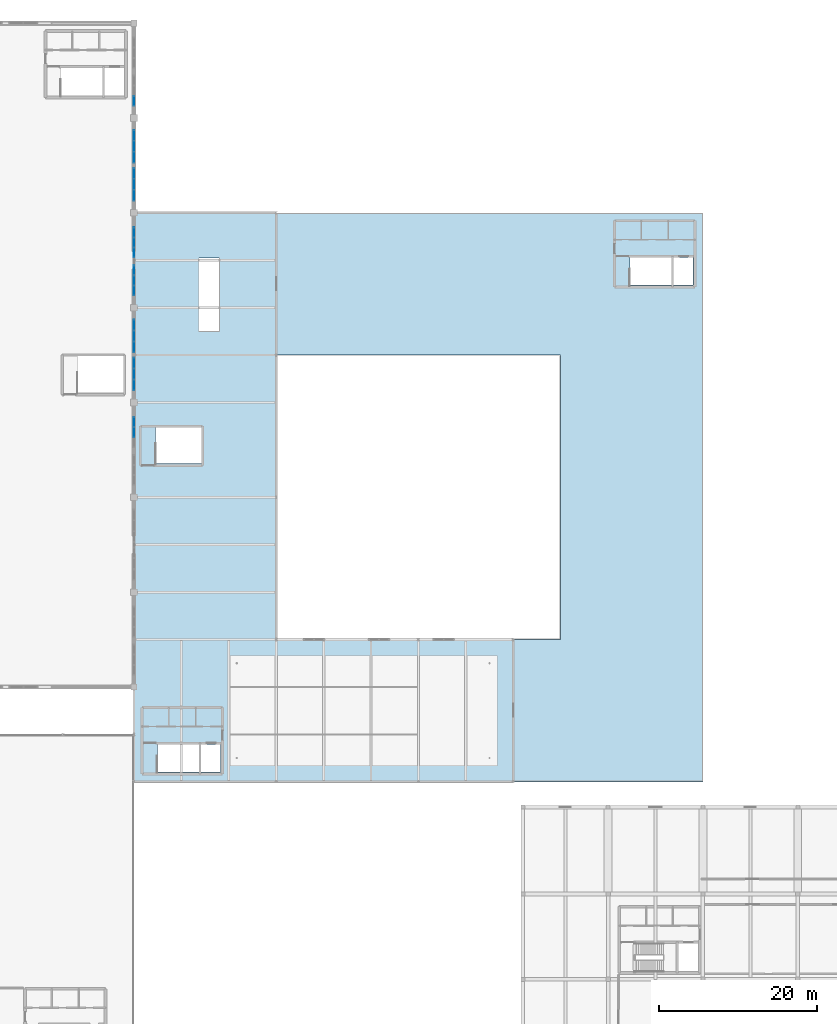
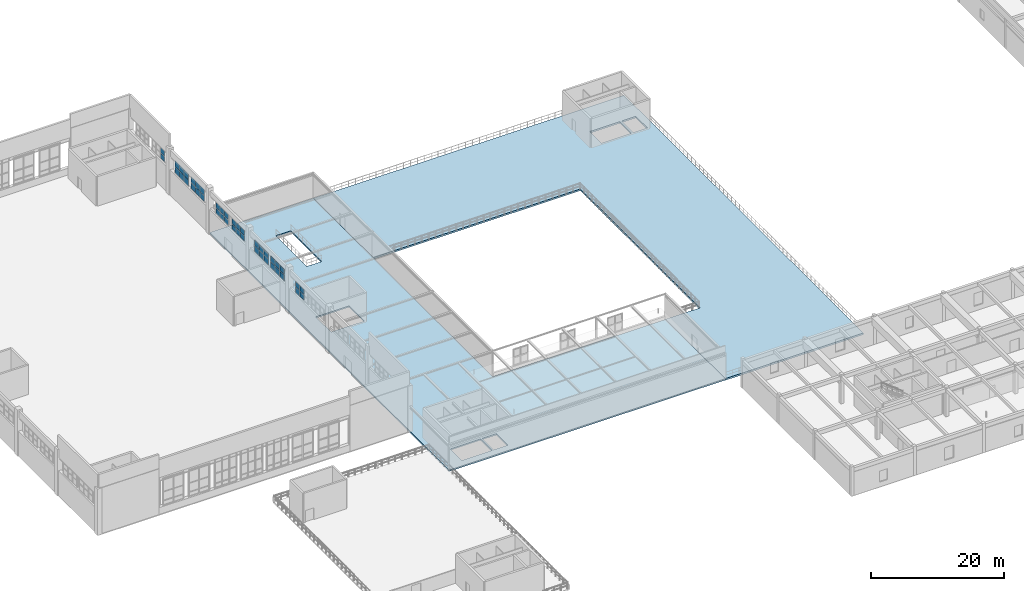
# One storey, part 73 of 97: 42 plates, 2 slabs, 8 elements without a shape of their own.
"""IFC4 building model written with IfcOpenShell, lengths in metres."""

from ifc_helpers import new_model, si_unit, derived_unit, direction, frame, origin, origin_2d, place, context, subcontext, project, spatial, polyline, rectangle, outline, extrude, material, layer, layer_set, type_object, element, aggregate, save


model = new_model("IFC4")

# Units and contexts
model_context = context("Model", 3, precision=1e-05, world=origin(), true_north=direction((0.0, 1.0)))
body_context = subcontext(model_context, "Body", "Model", "MODEL_VIEW")
ifc_project = project(units=[si_unit("LENGTHUNIT", "METRE"), si_unit("AREAUNIT", "SQUARE_METRE"), si_unit("VOLUMEUNIT", "CUBIC_METRE"), si_unit("PLANEANGLEUNIT", "RADIAN"), si_unit("MASSUNIT", "GRAM", prefix="KILO"), derived_unit("THERMALTRANSMITTANCEUNIT", [(si_unit("POWERUNIT", "WATT"), 1), (si_unit("LENGTHUNIT", "METRE"), -2), (si_unit("THERMODYNAMICTEMPERATUREUNIT", "KELVIN"), -1)])], contexts=[model_context])

# Site, building, storey
site_placement = place(None, origin())
site = spatial("IfcSite", under=ifc_project, at=site_placement, CompositionType="ELEMENT")
building_placement = place(site_placement, origin())
building = spatial("IfcBuilding", under=site, at=building_placement, Name="Almenara Railside Exhibition Hall", CompositionType="ELEMENT")
storey_placement = place(building_placement, frame((0.0, 0.0, 10.800048828125)))
storey = spatial("IfcBuildingStorey", under=building, at=storey_placement, Name="L02", CompositionType="ELEMENT", Elevation=10.800048828125)

# Curtain wall, plates
ifc_material_1 = material(Name="Bronze-anodised aluminium and low-E double glazing", Category="aluminium")
ifc_layer_1 = layer(ifc_material_1, 0.179931640625, Name="Bronze-anodised aluminium and low-E double glazing")
ifc_layer_set_1 = layer_set([ifc_layer_1], Name="Bronze-anodised aluminium and low-E double glazing")
curtain_wall_type_1 = type_object("IfcCurtainWallType", Name="West Hall Clerestory Curtain Wall 4200x2400", PredefinedType="NOTDEFINED", material=ifc_layer_set_1)
curtain_wall_1_placement = place(storey_placement, origin())
curtain_wall_1 = element("IfcCurtainWall", 1, at=curtain_wall_1_placement, inside=storey, type_object=curtain_wall_type_1, Name="Curtain wall CW-CL1-015", PredefinedType="NOTDEFINED")
ifc_material_2 = material(Name="Solar-control acoustic laminated glazing", Category="glass")
ifc_layer_2 = layer(ifc_material_2, 0.031982421875, Name="Solar-control acoustic laminated glazing")
ifc_layer_set_2 = layer_set([ifc_layer_2], Name="Solar-control acoustic laminated glazing")
plate_type_1 = type_object("IfcPlateType", Name="Acoustic Low-E Double Glazing Panel 32mm", PredefinedType="CURTAIN_PANEL", material=ifc_layer_set_2)
plate_1_placement = place(storey_placement, frame((66.0, 86.217529296875, 4.744140625), z_axis=(0.0, 0.0, 1.0), x_axis=(0.0, 1.0, 0.0)))
plate_1 = element("IfcPlate", 2, at=plate_1_placement, type_object=plate_type_1, Name="CW-CL1-015 panel 1.1", PredefinedType="CURTAIN_PANEL", context=body_context, shape_type="SweptSolid", body=[
    extrude(rectangle(XDim=1.31103515625, YDim=0.031982421875, at=origin_2d()), origin(), (0.0, 0.0, 1.0), 0.991943359375),
])
plate_2_placement = place(storey_placement, frame((66.0, 86.217529296875, 5.86376953125), z_axis=(0.0, 0.0, 1.0), x_axis=(0.0, 1.0, 0.0)))
plate_2 = element("IfcPlate", 3, at=plate_2_placement, type_object=plate_type_1, Name="CW-CL1-015 panel 1.2", PredefinedType="CURTAIN_PANEL", context=body_context, shape_type="SweptSolid", body=[
    extrude(rectangle(XDim=1.31103515625, YDim=0.031982421875, at=origin_2d()), origin(), (0.0, 0.0, 1.0), 0.991943359375),
])
plate_3_placement = place(storey_placement, frame((66.0, 87.60009765625, 4.744140625), z_axis=(0.0, 0.0, 1.0), x_axis=(0.0, 1.0, 0.0)))
plate_3 = element("IfcPlate", 4, at=plate_3_placement, type_object=plate_type_1, Name="CW-CL1-015 panel 2.1", PredefinedType="CURTAIN_PANEL", context=body_context, shape_type="SweptSolid", body=[
    extrude(rectangle(XDim=1.345947265625, YDim=0.031982421875, at=origin_2d()), origin(), (0.0, 0.0, 1.0), 0.991943359375),
])
plate_4_placement = place(storey_placement, frame((66.0, 87.60009765625, 5.86376953125), z_axis=(0.0, 0.0, 1.0), x_axis=(0.0, 1.0, 0.0)))
plate_4 = element("IfcPlate", 5, at=plate_4_placement, type_object=plate_type_1, Name="CW-CL1-015 panel 2.2", PredefinedType="CURTAIN_PANEL", context=body_context, shape_type="SweptSolid", body=[
    extrude(rectangle(XDim=1.345947265625, YDim=0.031982421875, at=origin_2d()), origin(), (0.0, 0.0, 1.0), 0.991943359375),
])
plate_5_placement = place(storey_placement, frame((66.0, 88.982421875, 4.744140625), z_axis=(0.0, 0.0, 1.0), x_axis=(0.0, 1.0, 0.0)))
plate_5 = element("IfcPlate", 6, at=plate_5_placement, type_object=plate_type_1, Name="CW-CL1-015 panel 3.1", PredefinedType="CURTAIN_PANEL", context=body_context, shape_type="SweptSolid", body=[
    extrude(rectangle(XDim=1.31103515625, YDim=0.031982421875, at=origin_2d()), origin(), (0.0, 0.0, 1.0), 0.991943359375),
])
plate_6_placement = place(storey_placement, frame((66.0, 88.982421875, 5.86376953125), z_axis=(0.0, 0.0, 1.0), x_axis=(0.0, 1.0, 0.0)))
plate_6 = element("IfcPlate", 7, at=plate_6_placement, type_object=plate_type_1, Name="CW-CL1-015 panel 3.2", PredefinedType="CURTAIN_PANEL", context=body_context, shape_type="SweptSolid", body=[
    extrude(rectangle(XDim=1.31103515625, YDim=0.031982421875, at=origin_2d()), origin(), (0.0, 0.0, 1.0), 0.991943359375),
])
aggregate(curtain_wall_1, [plate_1, plate_2, plate_3, plate_4, plate_5, plate_6])

ifc_layer_3 = layer(ifc_material_1, 0.179931640625, Name="Bronze-anodised aluminium and low-E double glazing")
ifc_layer_set_3 = layer_set([ifc_layer_3], Name="Bronze-anodised aluminium and low-E double glazing")
curtain_wall_type_2 = type_object("IfcCurtainWallType", Name="West Hall Clerestory Curtain Wall 3900x2200", PredefinedType="NOTDEFINED", material=ifc_layer_set_3)
curtain_wall_2_placement = place(storey_placement, origin())
curtain_wall_2 = element("IfcCurtainWall", 8, at=curtain_wall_2_placement, inside=storey, type_object=curtain_wall_type_2, Name="Curtain wall CW-CL2-020", PredefinedType="NOTDEFINED")
plate_7_placement = place(storey_placement, frame((66.0, 102.96630859375, 4.72412109375), z_axis=(0.0, 0.0, 1.0), x_axis=(0.0, 1.0, 0.0)))
plate_7 = element("IfcPlate", 9, at=plate_7_placement, type_object=plate_type_1, Name="CW-CL2-020 panel 1.1", PredefinedType="CURTAIN_PANEL", context=body_context, shape_type="SweptSolid", body=[
    extrude(rectangle(XDim=1.218505859375, YDim=0.031982421875, at=origin_2d()), origin(), (0.0, 0.0, 1.0), 0.922119140625),
])
plate_8_placement = place(storey_placement, frame((66.0, 102.96630859375, 5.75390625), z_axis=(0.0, 0.0, 1.0), x_axis=(0.0, 1.0, 0.0)))
plate_8 = element("IfcPlate", 10, at=plate_8_placement, type_object=plate_type_1, Name="CW-CL2-020 panel 1.2", PredefinedType="CURTAIN_PANEL", context=body_context, shape_type="SweptSolid", body=[
    extrude(rectangle(XDim=1.218505859375, YDim=0.031982421875, at=origin_2d()), origin(), (0.0, 0.0, 1.0), 0.922119140625),
])
plate_9_placement = place(storey_placement, frame((66.0, 104.25, 4.72412109375), z_axis=(0.0, 0.0, 1.0), x_axis=(0.0, 1.0, 0.0)))
plate_9 = element("IfcPlate", 11, at=plate_9_placement, type_object=plate_type_1, Name="CW-CL2-020 panel 2.1", PredefinedType="CURTAIN_PANEL", context=body_context, shape_type="SweptSolid", body=[
    extrude(rectangle(XDim=1.2509765625, YDim=0.031982421875, at=origin_2d()), origin(), (0.0, 0.0, 1.0), 0.922119140625),
])
plate_10_placement = place(storey_placement, frame((66.0, 104.25, 5.75390625), z_axis=(0.0, 0.0, 1.0), x_axis=(0.0, 1.0, 0.0)))
plate_10 = element("IfcPlate", 12, at=plate_10_placement, type_object=plate_type_1, Name="CW-CL2-020 panel 2.2", PredefinedType="CURTAIN_PANEL", context=body_context, shape_type="SweptSolid", body=[
    extrude(rectangle(XDim=1.2509765625, YDim=0.031982421875, at=origin_2d()), origin(), (0.0, 0.0, 1.0), 0.922119140625),
])
plate_11_placement = place(storey_placement, frame((66.0, 105.53369140625, 4.72412109375), z_axis=(0.0, 0.0, 1.0), x_axis=(0.0, 1.0, 0.0)))
plate_11 = element("IfcPlate", 13, at=plate_11_placement, type_object=plate_type_1, Name="CW-CL2-020 panel 3.1", PredefinedType="CURTAIN_PANEL", context=body_context, shape_type="SweptSolid", body=[
    extrude(rectangle(XDim=1.218505859375, YDim=0.031982421875, at=origin_2d()), origin(), (0.0, 0.0, 1.0), 0.922119140625),
])
plate_12_placement = place(storey_placement, frame((66.0, 105.53369140625, 5.75390625), z_axis=(0.0, 0.0, 1.0), x_axis=(0.0, 1.0, 0.0)))
plate_12 = element("IfcPlate", 14, at=plate_12_placement, type_object=plate_type_1, Name="CW-CL2-020 panel 3.2", PredefinedType="CURTAIN_PANEL", context=body_context, shape_type="SweptSolid", body=[
    extrude(rectangle(XDim=1.218505859375, YDim=0.031982421875, at=origin_2d()), origin(), (0.0, 0.0, 1.0), 0.922119140625),
])
aggregate(curtain_wall_2, [plate_7, plate_8, plate_9, plate_10, plate_11, plate_12])

# Slab
ifc_material_3 = material(Name="Concrete C35/45", Category="concrete")
ifc_layer_4 = layer(ifc_material_3, 0.260009765625, Name="Concrete C35/45")
ifc_layer_set_4 = layer_set([ifc_layer_4], Name="Concrete C35/45")
slab_type_1 = type_object("IfcSlabType", Name="Congress Suspended Slab 260mm C35/45", PredefinedType="FLOOR", material=ifc_layer_set_4)
slab_1_placement = place(storey_placement, frame((0.0, 0.0, -0.260009765625)))
element("IfcSlab", 15, at=slab_1_placement, inside=storey, type_object=slab_type_1, Name="Concourse L02 belvedere L-slab 021", PredefinedType="FLOOR", context=body_context, shape_type="SweptSolid", body=[
    extrude(outline(polyline([(66.0, 36.0), (114.0, 36.0), (114.0, 54.0), (84.0, 54.0), (84.0, 108.0), (66.0, 108.0), (66.0, 36.0)]), holes=[polyline([(68.95068359375, 37.25), (74.199951171875, 37.25), (74.199951171875, 40.739990234375), (68.95068359375, 40.739990234375), (68.95068359375, 37.25)]), polyline([(74.5, 37.25), (76.949951171875, 37.25), (76.949951171875, 40.739990234375), (74.5, 40.739990234375), (74.5, 37.25)]), polyline([(74.199951171875, 93.0), (76.800048828125, 93.0), (76.800048828125, 102.29931640625), (74.199951171875, 102.29931640625), (74.199951171875, 93.0)]), polyline([(68.750732421875, 76.25), (74.550048828125, 76.25), (74.550048828125, 80.85009765625), (68.750732421875, 80.85009765625), (68.750732421875, 76.25)])]), origin(), (0.0, 0.0, 1.0), 0.260009765625),
])

# Curtain wall, plates
curtain_wall_3_placement = place(storey_placement, origin())
curtain_wall_3 = element("IfcCurtainWall", 16, at=curtain_wall_3_placement, inside=storey, type_object=curtain_wall_type_2, Name="Curtain wall CW-CL2-012", PredefinedType="NOTDEFINED")
ifc_material_4 = material(Name="Clear low-E laminated double glazing", Category="glass")
ifc_layer_5 = layer(ifc_material_4, 0.02392578125, Name="Clear low-E laminated double glazing")
ifc_layer_set_5 = layer_set([ifc_layer_5], Name="Clear low-E laminated double glazing")
plate_type_2 = type_object("IfcPlateType", Name="Courtyard Clear Double Glazing Panel 24mm", PredefinedType="CURTAIN_PANEL", material=ifc_layer_set_5)
plate_13_placement = place(storey_placement, frame((66.0, 80.25, 4.72412109375), z_axis=(0.0, 0.0, 1.0), x_axis=(0.0, 1.0, 0.0)))
plate_13 = element("IfcPlate", 17, at=plate_13_placement, type_object=plate_type_2, Name="CW-CL2-012 panel 2.1", PredefinedType="CURTAIN_PANEL", context=body_context, shape_type="SweptSolid", body=[
    extrude(rectangle(XDim=1.2509765625, YDim=0.02392578125, at=origin_2d()), origin(), (0.0, 0.0, 1.0), 0.922119140625),
])
plate_14_placement = place(storey_placement, frame((66.0, 80.25, 5.75390625), z_axis=(0.0, 0.0, 1.0), x_axis=(0.0, 1.0, 0.0)))
plate_14 = element("IfcPlate", 18, at=plate_14_placement, type_object=plate_type_2, Name="CW-CL2-012 panel 2.2", PredefinedType="CURTAIN_PANEL", context=body_context, shape_type="SweptSolid", body=[
    extrude(rectangle(XDim=1.2509765625, YDim=0.02392578125, at=origin_2d()), origin(), (0.0, 0.0, 1.0), 0.922119140625),
])
plate_15_placement = place(storey_placement, frame((66.0, 81.53369140625, 4.72412109375), z_axis=(0.0, 0.0, 1.0), x_axis=(0.0, 1.0, 0.0)))
plate_15 = element("IfcPlate", 19, at=plate_15_placement, type_object=plate_type_2, Name="CW-CL2-012 panel 3.1", PredefinedType="CURTAIN_PANEL", context=body_context, shape_type="SweptSolid", body=[
    extrude(rectangle(XDim=1.218505859375, YDim=0.02392578125, at=origin_2d()), origin(), (0.0, 0.0, 1.0), 0.922119140625),
])
plate_16_placement = place(storey_placement, frame((66.0, 81.53369140625, 5.75390625), z_axis=(0.0, 0.0, 1.0), x_axis=(0.0, 1.0, 0.0)))
plate_16 = element("IfcPlate", 20, at=plate_16_placement, type_object=plate_type_2, Name="CW-CL2-012 panel 3.2", PredefinedType="CURTAIN_PANEL", context=body_context, shape_type="SweptSolid", body=[
    extrude(rectangle(XDim=1.218505859375, YDim=0.02392578125, at=origin_2d()), origin(), (0.0, 0.0, 1.0), 0.922119140625),
])
aggregate(curtain_wall_3, [plate_13, plate_14, plate_15, plate_16])

curtain_wall_4_placement = place(storey_placement, origin())
curtain_wall_4 = element("IfcCurtainWall", 21, at=curtain_wall_4_placement, inside=storey, type_object=curtain_wall_type_1, Name="Curtain wall CW-CL1-022", PredefinedType="NOTDEFINED")
plate_17_placement = place(storey_placement, frame((66.0, 115.013671875, 4.673828125), z_axis=(0.0, 0.0, 1.0), x_axis=(0.0, 1.0, 0.0)))
plate_17 = element("IfcPlate", 22, at=plate_17_placement, type_object=plate_type_2, Name="CW-CL1-022 panel 1.1", PredefinedType="CURTAIN_PANEL", context=body_context, shape_type="SweptSolid", body=[
    extrude(rectangle(XDim=1.33349609375, YDim=0.02392578125, at=origin_2d()), origin(), (0.0, 0.0, 1.0), 1.096923828125),
])
plate_18_placement = place(storey_placement, frame((66.0, 115.013671875, 5.8291015625), z_axis=(0.0, 0.0, 1.0), x_axis=(0.0, 1.0, 0.0)))
plate_18 = element("IfcPlate", 23, at=plate_18_placement, type_object=plate_type_2, Name="CW-CL1-022 panel 1.2", PredefinedType="CURTAIN_PANEL", context=body_context, shape_type="SweptSolid", body=[
    extrude(rectangle(XDim=1.33349609375, YDim=0.02392578125, at=origin_2d()), origin(), (0.0, 0.0, 1.0), 1.096923828125),
])
plate_19_placement = place(storey_placement, frame((66.0, 116.39990234375, 4.673828125), z_axis=(0.0, 0.0, 1.0), x_axis=(0.0, 1.0, 0.0)))
plate_19 = element("IfcPlate", 24, at=plate_19_placement, type_object=plate_type_2, Name="CW-CL1-022 panel 2.1", PredefinedType="CURTAIN_PANEL", context=body_context, shape_type="SweptSolid", body=[
    extrude(rectangle(XDim=1.361083984375, YDim=0.02392578125, at=origin_2d()), origin(), (0.0, 0.0, 1.0), 1.096923828125),
])
plate_20_placement = place(storey_placement, frame((66.0, 116.39990234375, 5.8291015625), z_axis=(0.0, 0.0, 1.0), x_axis=(0.0, 1.0, 0.0)))
plate_20 = element("IfcPlate", 25, at=plate_20_placement, type_object=plate_type_2, Name="CW-CL1-022 panel 2.2", PredefinedType="CURTAIN_PANEL", context=body_context, shape_type="SweptSolid", body=[
    extrude(rectangle(XDim=1.361083984375, YDim=0.02392578125, at=origin_2d()), origin(), (0.0, 0.0, 1.0), 1.096923828125),
])
plate_21_placement = place(storey_placement, frame((66.0, 117.7861328125, 4.673828125), z_axis=(0.0, 0.0, 1.0), x_axis=(0.0, 1.0, 0.0)))
plate_21 = element("IfcPlate", 26, at=plate_21_placement, type_object=plate_type_2, Name="CW-CL1-022 panel 3.1", PredefinedType="CURTAIN_PANEL", context=body_context, shape_type="SweptSolid", body=[
    extrude(rectangle(XDim=1.33349609375, YDim=0.02392578125, at=origin_2d()), origin(), (0.0, 0.0, 1.0), 1.096923828125),
])
plate_22_placement = place(storey_placement, frame((66.0, 117.7861328125, 5.8291015625), z_axis=(0.0, 0.0, 1.0), x_axis=(0.0, 1.0, 0.0)))
plate_22 = element("IfcPlate", 27, at=plate_22_placement, type_object=plate_type_2, Name="CW-CL1-022 panel 3.2", PredefinedType="CURTAIN_PANEL", context=body_context, shape_type="SweptSolid", body=[
    extrude(rectangle(XDim=1.33349609375, YDim=0.02392578125, at=origin_2d()), origin(), (0.0, 0.0, 1.0), 1.096923828125),
])
aggregate(curtain_wall_4, [plate_17, plate_18, plate_19, plate_20, plate_21, plate_22])

curtain_wall_5_placement = place(storey_placement, origin())
curtain_wall_5 = element("IfcCurtainWall", 28, at=curtain_wall_5_placement, inside=storey, type_object=curtain_wall_type_2, Name="Curtain wall CW-CL2-023", PredefinedType="NOTDEFINED")
ifc_material_5 = material(Name="Bronze-anodised insulated aluminium spandrel", Category="aluminium")
ifc_layer_6 = layer(ifc_material_5, 0.0400390625, Name="Bronze-anodised insulated aluminium spandrel")
ifc_layer_set_6 = layer_set([ifc_layer_6], Name="Bronze-anodised insulated aluminium spandrel")
plate_type_3 = type_object("IfcPlateType", Name="Insulated Bronze Spandrel Panel 40mm", PredefinedType="CURTAIN_PANEL", material=ifc_layer_set_6)
plate_23_placement = place(storey_placement, frame((66.0, 122.16748046875, 4.743896484375), z_axis=(0.0, 0.0, 1.0), x_axis=(0.0, 1.0, 0.0)))
plate_23 = element("IfcPlate", 29, at=plate_23_placement, type_object=plate_type_3, Name="CW-CL2-023 panel 1.1", PredefinedType="CURTAIN_PANEL", context=body_context, shape_type="SweptSolid", body=[
    extrude(rectangle(XDim=1.2109375, YDim=0.0400390625, at=origin_2d()), origin(), (0.0, 0.0, 1.0), 0.89208984375),
])
plate_24_placement = place(storey_placement, frame((66.0, 122.16748046875, 5.763916015625), z_axis=(0.0, 0.0, 1.0), x_axis=(0.0, 1.0, 0.0)))
plate_24 = element("IfcPlate", 30, at=plate_24_placement, type_object=plate_type_3, Name="CW-CL2-023 panel 1.2", PredefinedType="CURTAIN_PANEL", context=body_context, shape_type="SweptSolid", body=[
    extrude(rectangle(XDim=1.2109375, YDim=0.0400390625, at=origin_2d()), origin(), (0.0, 0.0, 1.0), 0.89208984375),
])
aggregate(curtain_wall_5, [plate_23, plate_24])

curtain_wall_6_placement = place(storey_placement, origin())
curtain_wall_6 = element("IfcCurtainWall", 31, at=curtain_wall_6_placement, inside=storey, type_object=curtain_wall_type_2, Name="Curtain wall CW-CL2-019", PredefinedType="NOTDEFINED")
ifc_layer_7 = layer(ifc_material_5, 0.034912109375, Name="Bronze-anodised insulated aluminium spandrel")
ifc_layer_set_7 = layer_set([ifc_layer_7], Name="Bronze-anodised insulated aluminium spandrel")
plate_type_4 = type_object("IfcPlateType", Name="Insulated Stucco-Tone Spandrel Panel 35mm", PredefinedType="CURTAIN_PANEL", material=ifc_layer_set_7)
plate_25_placement = place(storey_placement, frame((66.0, 98.16748046875, 4.743896484375), z_axis=(0.0, 0.0, 1.0), x_axis=(0.0, 1.0, 0.0)))
plate_25 = element("IfcPlate", 32, at=plate_25_placement, type_object=plate_type_4, Name="CW-CL2-019 panel 1.1", PredefinedType="CURTAIN_PANEL", context=body_context, shape_type="SweptSolid", body=[
    extrude(rectangle(XDim=1.2109375, YDim=0.034912109375, at=origin_2d()), origin(), (0.0, 0.0, 1.0), 0.89208984375),
])
plate_26_placement = place(storey_placement, frame((66.0, 98.16748046875, 5.763916015625), z_axis=(0.0, 0.0, 1.0), x_axis=(0.0, 1.0, 0.0)))
plate_26 = element("IfcPlate", 33, at=plate_26_placement, type_object=plate_type_4, Name="CW-CL2-019 panel 1.2", PredefinedType="CURTAIN_PANEL", context=body_context, shape_type="SweptSolid", body=[
    extrude(rectangle(XDim=1.2109375, YDim=0.034912109375, at=origin_2d()), origin(), (0.0, 0.0, 1.0), 0.89208984375),
])
plate_27_placement = place(storey_placement, frame((66.0, 99.449951171875, 4.743896484375), z_axis=(0.0, 0.0, 1.0), x_axis=(0.0, 1.0, 0.0)))
plate_27 = element("IfcPlate", 34, at=plate_27_placement, type_object=plate_type_4, Name="CW-CL2-019 panel 2.1", PredefinedType="CURTAIN_PANEL", context=body_context, shape_type="SweptSolid", body=[
    extrude(rectangle(XDim=1.24609375, YDim=0.034912109375, at=origin_2d()), origin(), (0.0, 0.0, 1.0), 0.89208984375),
])
plate_28_placement = place(storey_placement, frame((66.0, 99.449951171875, 5.763916015625), z_axis=(0.0, 0.0, 1.0), x_axis=(0.0, 1.0, 0.0)))
plate_28 = element("IfcPlate", 35, at=plate_28_placement, type_object=plate_type_4, Name="CW-CL2-019 panel 2.2", PredefinedType="CURTAIN_PANEL", context=body_context, shape_type="SweptSolid", body=[
    extrude(rectangle(XDim=1.24609375, YDim=0.034912109375, at=origin_2d()), origin(), (0.0, 0.0, 1.0), 0.89208984375),
])
plate_29_placement = place(storey_placement, frame((66.0, 100.732421875, 4.743896484375), z_axis=(0.0, 0.0, 1.0), x_axis=(0.0, 1.0, 0.0)))
plate_29 = element("IfcPlate", 36, at=plate_29_placement, type_object=plate_type_4, Name="CW-CL2-019 panel 3.1", PredefinedType="CURTAIN_PANEL", context=body_context, shape_type="SweptSolid", body=[
    extrude(rectangle(XDim=1.2109375, YDim=0.034912109375, at=origin_2d()), origin(), (0.0, 0.0, 1.0), 0.89208984375),
])
plate_30_placement = place(storey_placement, frame((66.0, 100.732421875, 5.763916015625), z_axis=(0.0, 0.0, 1.0), x_axis=(0.0, 1.0, 0.0)))
plate_30 = element("IfcPlate", 37, at=plate_30_placement, type_object=plate_type_4, Name="CW-CL2-019 panel 3.2", PredefinedType="CURTAIN_PANEL", context=body_context, shape_type="SweptSolid", body=[
    extrude(rectangle(XDim=1.2109375, YDim=0.034912109375, at=origin_2d()), origin(), (0.0, 0.0, 1.0), 0.89208984375),
])
aggregate(curtain_wall_6, [plate_25, plate_26, plate_27, plate_28, plate_29, plate_30])

curtain_wall_7_placement = place(storey_placement, origin())
curtain_wall_7 = element("IfcCurtainWall", 38, at=curtain_wall_7_placement, inside=storey, type_object=curtain_wall_type_1, Name="Curtain wall CW-CL1-016", PredefinedType="NOTDEFINED")
ifc_material_6 = material(Name="Solar-control low-E laminated double glazing", Category="glass")
ifc_layer_8 = layer(ifc_material_6, 0.028076171875, Name="Solar-control low-E laminated double glazing")
ifc_layer_set_8 = layer_set([ifc_layer_8], Name="Solar-control low-E laminated double glazing")
plate_type_5 = type_object("IfcPlateType", Name="Low-E Solar Control Double Glazing Panel 28mm", PredefinedType="CURTAIN_PANEL", material=ifc_layer_set_8)
plate_31_placement = place(storey_placement, frame((66.0, 91.016357421875, 4.723876953125), z_axis=(0.0, 0.0, 1.0), x_axis=(0.0, 1.0, 0.0)))
plate_31 = element("IfcPlate", 39, at=plate_31_placement, type_object=plate_type_5, Name="CW-CL1-016 panel 1.1", PredefinedType="CURTAIN_PANEL", context=body_context, shape_type="SweptSolid", body=[
    extrude(rectangle(XDim=1.318603515625, YDim=0.028076171875, at=origin_2d()), origin(), (0.0, 0.0, 1.0), 1.02197265625),
])
plate_32_placement = place(storey_placement, frame((66.0, 91.016357421875, 5.85400390625), z_axis=(0.0, 0.0, 1.0), x_axis=(0.0, 1.0, 0.0)))
plate_32 = element("IfcPlate", 40, at=plate_32_placement, type_object=plate_type_5, Name="CW-CL1-016 panel 1.2", PredefinedType="CURTAIN_PANEL", context=body_context, shape_type="SweptSolid", body=[
    extrude(rectangle(XDim=1.318603515625, YDim=0.028076171875, at=origin_2d()), origin(), (0.0, 0.0, 1.0), 1.02197265625),
])
plate_33_placement = place(storey_placement, frame((66.0, 92.39990234375, 4.723876953125), z_axis=(0.0, 0.0, 1.0), x_axis=(0.0, 1.0, 0.0)))
plate_33 = element("IfcPlate", 41, at=plate_33_placement, type_object=plate_type_5, Name="CW-CL1-016 panel 2.1", PredefinedType="CURTAIN_PANEL", context=body_context, shape_type="SweptSolid", body=[
    extrude(rectangle(XDim=1.35107421875, YDim=0.028076171875, at=origin_2d()), origin(), (0.0, 0.0, 1.0), 1.02197265625),
])
plate_34_placement = place(storey_placement, frame((66.0, 92.39990234375, 5.85400390625), z_axis=(0.0, 0.0, 1.0), x_axis=(0.0, 1.0, 0.0)))
plate_34 = element("IfcPlate", 42, at=plate_34_placement, type_object=plate_type_5, Name="CW-CL1-016 panel 2.2", PredefinedType="CURTAIN_PANEL", context=body_context, shape_type="SweptSolid", body=[
    extrude(rectangle(XDim=1.35107421875, YDim=0.028076171875, at=origin_2d()), origin(), (0.0, 0.0, 1.0), 1.02197265625),
])
plate_35_placement = place(storey_placement, frame((66.0, 93.78369140625, 4.723876953125), z_axis=(0.0, 0.0, 1.0), x_axis=(0.0, 1.0, 0.0)))
plate_35 = element("IfcPlate", 43, at=plate_35_placement, type_object=plate_type_5, Name="CW-CL1-016 panel 3.1", PredefinedType="CURTAIN_PANEL", context=body_context, shape_type="SweptSolid", body=[
    extrude(rectangle(XDim=1.318603515625, YDim=0.028076171875, at=origin_2d()), origin(), (0.0, 0.0, 1.0), 1.02197265625),
])
plate_36_placement = place(storey_placement, frame((66.0, 93.78369140625, 5.85400390625), z_axis=(0.0, 0.0, 1.0), x_axis=(0.0, 1.0, 0.0)))
plate_36 = element("IfcPlate", 44, at=plate_36_placement, type_object=plate_type_5, Name="CW-CL1-016 panel 3.2", PredefinedType="CURTAIN_PANEL", context=body_context, shape_type="SweptSolid", body=[
    extrude(rectangle(XDim=1.318603515625, YDim=0.028076171875, at=origin_2d()), origin(), (0.0, 0.0, 1.0), 1.02197265625),
])
aggregate(curtain_wall_7, [plate_31, plate_32, plate_33, plate_34, plate_35, plate_36])

curtain_wall_8_placement = place(storey_placement, origin())
curtain_wall_8 = element("IfcCurtainWall", 45, at=curtain_wall_8_placement, inside=storey, type_object=curtain_wall_type_1, Name="Curtain wall CW-CL1-021", PredefinedType="NOTDEFINED")
plate_37_placement = place(storey_placement, frame((66.0, 110.215087890625, 4.694091796875), z_axis=(0.0, 0.0, 1.0), x_axis=(0.0, 1.0, 0.0)))
plate_37 = element("IfcPlate", 46, at=plate_37_placement, type_object=plate_type_5, Name="CW-CL1-021 panel 1.1", PredefinedType="CURTAIN_PANEL", context=body_context, shape_type="SweptSolid", body=[
    extrude(rectangle(XDim=1.325927734375, YDim=0.028076171875, at=origin_2d()), origin(), (0.0, 0.0, 1.0), 1.06689453125),
])
plate_38_placement = place(storey_placement, frame((66.0, 110.215087890625, 5.839111328125), z_axis=(0.0, 0.0, 1.0), x_axis=(0.0, 1.0, 0.0)))
plate_38 = element("IfcPlate", 47, at=plate_38_placement, type_object=plate_type_5, Name="CW-CL1-021 panel 1.2", PredefinedType="CURTAIN_PANEL", context=body_context, shape_type="SweptSolid", body=[
    extrude(rectangle(XDim=1.325927734375, YDim=0.028076171875, at=origin_2d()), origin(), (0.0, 0.0, 1.0), 1.06689453125),
])
plate_39_placement = place(storey_placement, frame((66.0, 111.60009765625, 4.694091796875), z_axis=(0.0, 0.0, 1.0), x_axis=(0.0, 1.0, 0.0)))
plate_39 = element("IfcPlate", 48, at=plate_39_placement, type_object=plate_type_5, Name="CW-CL1-021 panel 2.1", PredefinedType="CURTAIN_PANEL", context=body_context, shape_type="SweptSolid", body=[
    extrude(rectangle(XDim=1.35595703125, YDim=0.028076171875, at=origin_2d()), origin(), (0.0, 0.0, 1.0), 1.06689453125),
])
plate_40_placement = place(storey_placement, frame((66.0, 111.60009765625, 5.839111328125), z_axis=(0.0, 0.0, 1.0), x_axis=(0.0, 1.0, 0.0)))
plate_40 = element("IfcPlate", 49, at=plate_40_placement, type_object=plate_type_5, Name="CW-CL1-021 panel 2.2", PredefinedType="CURTAIN_PANEL", context=body_context, shape_type="SweptSolid", body=[
    extrude(rectangle(XDim=1.35595703125, YDim=0.028076171875, at=origin_2d()), origin(), (0.0, 0.0, 1.0), 1.06689453125),
])
plate_41_placement = place(storey_placement, frame((66.0, 112.985107421875, 4.694091796875), z_axis=(0.0, 0.0, 1.0), x_axis=(0.0, 1.0, 0.0)))
plate_41 = element("IfcPlate", 50, at=plate_41_placement, type_object=plate_type_5, Name="CW-CL1-021 panel 3.1", PredefinedType="CURTAIN_PANEL", context=body_context, shape_type="SweptSolid", body=[
    extrude(rectangle(XDim=1.325927734375, YDim=0.028076171875, at=origin_2d()), origin(), (0.0, 0.0, 1.0), 1.06689453125),
])
plate_42_placement = place(storey_placement, frame((66.0, 112.985107421875, 5.839111328125), z_axis=(0.0, 0.0, 1.0), x_axis=(0.0, 1.0, 0.0)))
plate_42 = element("IfcPlate", 51, at=plate_42_placement, type_object=plate_type_5, Name="CW-CL1-021 panel 3.2", PredefinedType="CURTAIN_PANEL", context=body_context, shape_type="SweptSolid", body=[
    extrude(rectangle(XDim=1.325927734375, YDim=0.028076171875, at=origin_2d()), origin(), (0.0, 0.0, 1.0), 1.06689453125),
])
aggregate(curtain_wall_8, [plate_37, plate_38, plate_39, plate_40, plate_41, plate_42])

# Slab
ifc_material_7 = material(Name="Concrete C40/50", Category="concrete")
ifc_layer_9 = layer(ifc_material_7, 0.31005859375, Name="Concrete C40/50")
ifc_layer_set_9 = layer_set([ifc_layer_9], Name="Concrete C40/50")
slab_type_2 = type_object("IfcSlabType", Name="Planted Roof Garden Structural Slab 310mm C40/50", PredefinedType="FLOOR", material=ifc_layer_set_9)
slab_2_placement = place(storey_placement, frame((0.0, 0.0, -0.31005859375)))
element("IfcSlab", 52, at=slab_2_placement, inside=storey, type_object=slab_type_2, Name="Concourse planted roof garden L-slab 022", PredefinedType="FLOOR", context=body_context, shape_type="SweptSolid", body=[
    extrude(outline(polyline([(114.0, 36.0), (138.0, 36.0), (138.0, 108.0), (84.0, 108.0), (84.0, 90.0), (120.0, 90.0), (120.0, 54.0), (114.0, 54.0), (114.0, 36.0)]), holes=[polyline([(128.750732421875, 98.85009765625), (134.0, 98.85009765625), (134.0, 102.340087890625), (128.750732421875, 102.340087890625), (128.750732421875, 98.85009765625)]), polyline([(134.300048828125, 98.85009765625), (136.75, 98.85009765625), (136.75, 102.340087890625), (134.300048828125, 102.340087890625), (134.300048828125, 98.85009765625)])]), origin(), (0.0, 0.0, 1.0), 0.31005859375),
])

save(model, "model.ifc")
